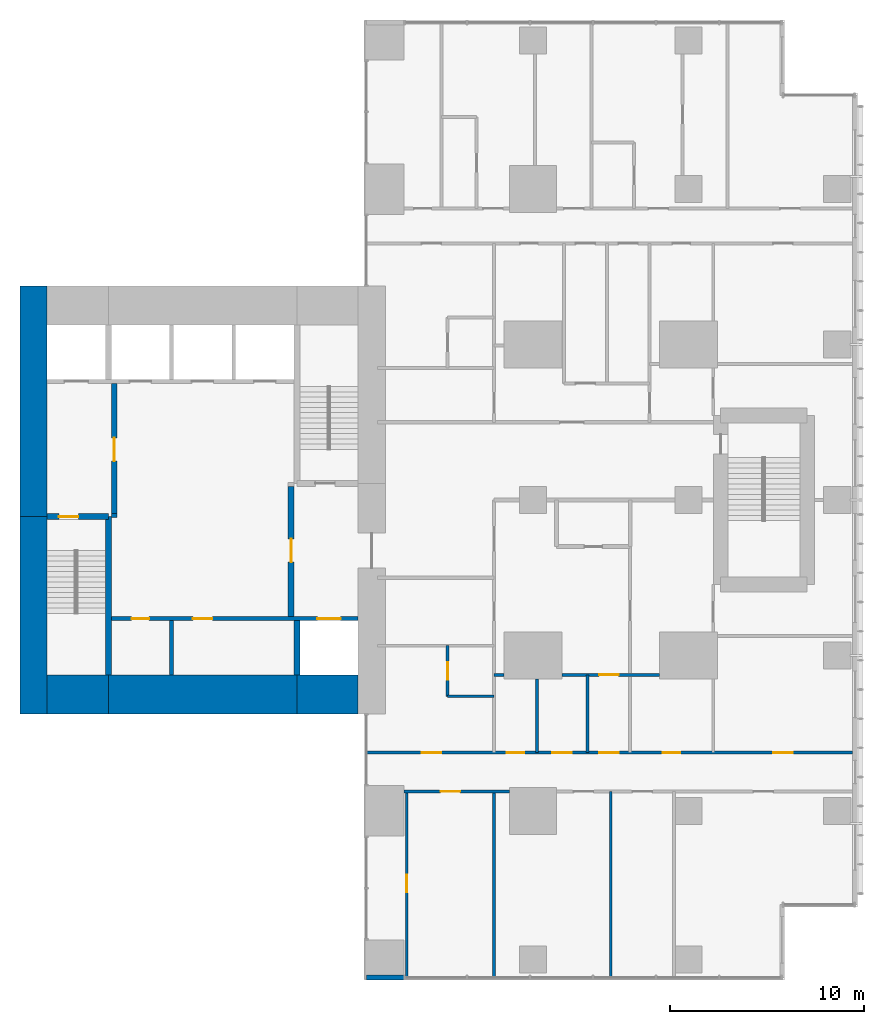
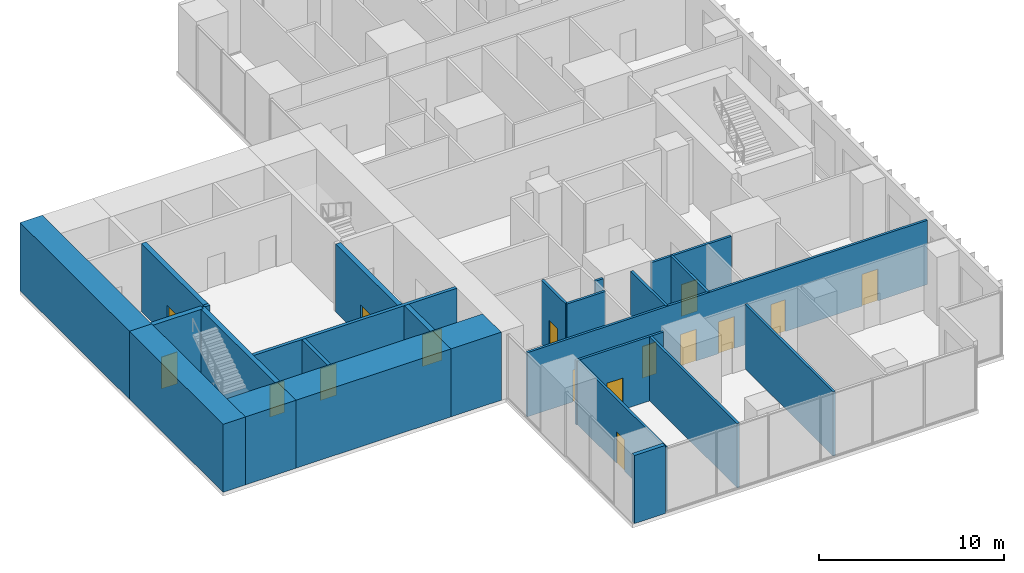
# One storey, part 7 of 12: 25 walls, 16 doors, 16 openings.
"""IFC4 building model written with IfcOpenShell, lengths in metres."""

from ifc_helpers import new_model, si_unit, direction, frame, frame_2d, origin, place, context, subcontext, project, spatial, rectangle, extrude, material, layer, layer_set, type_object, element, fill, save


model = new_model("IFC4")

# Units and contexts
model_context = context("Model", 3, precision=1e-05, world=origin(), true_north=direction((0.0, 1.0)))
body_context = subcontext(model_context, "Body", "Model", "MODEL_VIEW")
ifc_project = project(units=[si_unit("LENGTHUNIT", "METRE"), si_unit("AREAUNIT", "SQUARE_METRE"), si_unit("VOLUMEUNIT", "CUBIC_METRE"), si_unit("PLANEANGLEUNIT", "RADIAN"), si_unit("MASSUNIT", "GRAM", prefix="KILO")], contexts=[model_context])

# Site, building, storey
site_placement = place(None, origin())
site = spatial("IfcSite", under=ifc_project, at=site_placement, CompositionType="ELEMENT")
building_placement = place(site_placement, origin())
building = spatial("IfcBuilding", under=site, at=building_placement, Name="Cleftline Residences", CompositionType="ELEMENT")
storey_placement = place(building_placement, frame((0.0, 0.0, 282.60009765625)))
storey = spatial("IfcBuildingStorey", under=building, at=storey_placement, Name="L74", CompositionType="ELEMENT", Elevation=282.60009765625)

# Walls
ifc_material_1 = material(Name="Concrete B70", Category="concrete")
ifc_layer_1 = layer(ifc_material_1, 1.39990234375)
ifc_layer_set_1 = layer_set([ifc_layer_1], Name="CORE WALL 1400")
wall_type_1 = type_object("IfcWallType", Name="CORE WALL 1400", PredefinedType="SHEAR", material=ifc_layer_set_1)
wall_1_placement = place(storey_placement, frame((24.300048828125, 13.0, 0.0), z_axis=(0.0, 0.0, 1.0), x_axis=(0.0, 1.0, 0.0)))
element("IfcWall", 1, at=wall_1_placement, inside=storey, type_object=wall_type_1, Name="Core wall W0", PredefinedType="SHEAR", context=body_context, shape_type="SweptSolid", body=[
    extrude(rectangle(XDim=10.14990234375, YDim=1.39990234375, at=frame_2d((5.074951171875, 0.0))), origin(), (0.0, 0.0, 1.0), 4.5),
])
wall_2_placement = place(storey_placement, frame((24.300048828125, 23.14990234375, 0.0), z_axis=(0.0, 0.0, 1.0), x_axis=(0.0, 1.0, 0.0)))
element("IfcWall", 2, at=wall_2_placement, inside=storey, type_object=wall_type_1, Name="Core wall W", PredefinedType="SHEAR", context=body_context, shape_type="SweptSolid", body=[
    extrude(rectangle(XDim=11.85009765625, YDim=1.39990234375, at=frame_2d((5.925048828125, 0.0))), origin(), (0.0, 0.0, 1.0), 4.5),
])
ifc_material_2 = material(Name="Concrete B70", Category="concrete")
ifc_layer_2 = layer(ifc_material_2, 2.0)
ifc_layer_set_2 = layer_set([ifc_layer_2], Name="CORE WALL 2000")
wall_type_2 = type_object("IfcWallType", Name="CORE WALL 2000", PredefinedType="SHEAR", material=ifc_layer_set_2)
wall_3_placement = place(storey_placement, frame((25.0, 14.0, 0.0), z_axis=(0.0, 0.0, 1.0), x_axis=(1.0, 0.0, 0.0)))
element("IfcWall", 3, at=wall_3_placement, inside=storey, type_object=wall_type_2, Name="Core wall S1", PredefinedType="SHEAR", context=body_context, shape_type="SweptSolid", body=[
    extrude(rectangle(XDim=3.14990234375, YDim=2.0, at=frame_2d((1.574951171875, 0.0))), origin(), (0.0, 0.0, 1.0), 4.5),
])
wall_4_placement = place(storey_placement, frame((28.14990234375, 14.0, 0.0), z_axis=(0.0, 0.0, 1.0), x_axis=(1.0, 0.0, 0.0)))
element("IfcWall", 4, at=wall_4_placement, inside=storey, type_object=wall_type_2, Name="Core wall S2", PredefinedType="SHEAR", context=body_context, shape_type="SweptSolid", body=[
    extrude(rectangle(XDim=9.7001953125, YDim=2.0, at=frame_2d((4.85009765625, 0.0))), origin(), (0.0, 0.0, 1.0), 4.5),
])
wall_5_placement = place(storey_placement, frame((37.85009765625, 14.0, 0.0), z_axis=(0.0, 0.0, 1.0), x_axis=(1.0, 0.0, 0.0)))
element("IfcWall", 5, at=wall_5_placement, inside=storey, type_object=wall_type_2, Name="Core wall S3", PredefinedType="SHEAR", context=body_context, shape_type="SweptSolid", body=[
    extrude(rectangle(XDim=3.14990234375, YDim=2.0, at=frame_2d((1.574951171875, 0.0))), origin(), (0.0, 0.0, 1.0), 4.5),
])
ifc_material_3 = material(Name="Concrete B70", Category="concrete")
ifc_layer_3 = layer(ifc_material_3, 0.300048828125)
ifc_layer_set_3 = layer_set([ifc_layer_3], Name="CORE WALL 300")
wall_type_3 = type_object("IfcWallType", Name="CORE WALL 300", PredefinedType="SHEAR", material=ifc_layer_set_3)
wall_6_placement = place(storey_placement, frame((28.14990234375, 15.0, 0.0), z_axis=(0.0, 0.0, 1.0), x_axis=(0.0, 1.0, 0.0)))
element("IfcWall", 6, at=wall_6_placement, inside=storey, type_object=wall_type_3, Name="Core wall SA-E", PredefinedType="SHEAR", context=body_context, shape_type="SweptSolid", body=[
    extrude(rectangle(XDim=8.14990234375, YDim=0.300048828125, at=frame_2d((4.074951171875, 0.0))), origin(), (0.0, 0.0, 1.0), 4.5),
])

# Wall, opening, door
wall_7_placement = place(storey_placement, frame((25.0, 23.14990234375, 0.0), z_axis=(0.0, 0.0, 1.0), x_axis=(1.0, 0.0, 0.0)))
wall_7 = element("IfcWall", 7, at=wall_7_placement, inside=storey, type_object=wall_type_3, Name="Core wall SA-N", PredefinedType="SHEAR", context=body_context, shape_type="SweptSolid", body=[
    extrude(rectangle(XDim=3.14990234375, YDim=0.300048828125, at=frame_2d((1.574951171875, 0.0))), origin(), (0.0, 0.0, 1.0), 4.5),
])
opening_1_placement = place(wall_7_placement, frame((0.60009765625, 0.0, 0.0)))
opening_1 = element("IfcOpeningElement", 8, at=opening_1_placement, cuts=wall_7, Name="Opening D5", PredefinedType="OPENING", context=body_context, shape_type="SweptSolid", body=[
    extrude(rectangle(XDim=1.0, YDim=2.10009765625, at=frame_2d((0.5, 1.050048828125))), frame((0.0, 0.159912109375, 0.0), z_axis=(0.0, -1.0, 0.0), x_axis=(1.0, 0.0, 0.0)), (0.0, 0.0, 1.0), 0.320068359375),
])
ifc_material_4 = material(Name="Steel", Category="steel")
door_type_1 = type_object("IfcDoorType", Name="STAIR DOOR 1000X2100", OperationType="SINGLE_SWING_LEFT", PredefinedType="DOOR", material=ifc_material_4)
door_1_placement = place(opening_1_placement, origin())
door_1 = element("IfcDoor", 9, at=door_1_placement, inside=storey, type_object=door_type_1, Name="Stair A door", OperationType="SINGLE_SWING_RIGHT", OverallHeight=2.10009765625, OverallWidth=1.0, PredefinedType="DOOR", context=body_context, shape_type="SweptSolid", body=[
    extrude(rectangle(XDim=1.0, YDim=2.10009765625, at=frame_2d((0.5, 1.050048828125))), frame((0.0, 0.02490234375, 0.0), z_axis=(0.0, -1.0, 0.0), x_axis=(1.0, 0.0, 0.0)), (0.0, 0.0, 1.0), 0.050048828125),
])
fill(opening_1, door_1)

# Walls
wall_8_placement = place(storey_placement, frame((37.85009765625, 15.0, 0.0), z_axis=(0.0, 0.0, 1.0), x_axis=(0.0, 1.0, 0.0)))
element("IfcWall", 10, at=wall_8_placement, inside=storey, type_object=wall_type_3, Name="Lift shaft wall", PredefinedType="SHEAR", context=body_context, shape_type="SweptSolid", body=[
    extrude(rectangle(XDim=2.800048828125, YDim=0.300048828125, at=frame_2d((1.39990234375, 0.0))), origin(), (0.0, 0.0, 1.0), 4.5),
])
ifc_material_5 = material(Name="Rendered reinforced concrete blockwork", Category="masonry")
ifc_layer_4 = layer(ifc_material_5, 0.25)
ifc_layer_set_4 = layer_set([ifc_layer_4], Name="EXTERNAL WALL 250")
wall_type_4 = type_object("IfcWallType", Name="EXTERNAL WALL 250", PredefinedType="SOLIDWALL", material=ifc_layer_set_4)
wall_9_placement = place(storey_placement, frame((41.425048828125, -0.574951171875, 0.0), z_axis=(0.0, 0.0, 1.0), x_axis=(1.0, 0.0, 0.0)))
element("IfcWall", 11, at=wall_9_placement, inside=storey, type_object=wall_type_4, Name="External wall", PredefinedType="SOLIDWALL", context=body_context, shape_type="SweptSolid", body=[
    extrude(rectangle(XDim=1.925048828125, YDim=0.25, at=frame_2d((0.96240234375, 0.0))), origin(), (0.0, 0.0, 1.0), 4.5),
])
ifc_material_6 = material(Name="Concrete blockwork, fire rated", Category="masonry")
ifc_layer_5 = layer(ifc_material_6, 0.199951171875)
ifc_layer_set_5 = layer_set([ifc_layer_5], Name="FIRE WALL 200")
wall_type_5 = type_object("IfcWallType", Name="FIRE WALL 200", PredefinedType="PARTITIONING", material=ifc_layer_set_5)
wall_10_placement = place(storey_placement, frame((28.300048828125, 23.199951171875, 0.0), z_axis=(0.0, 0.0, 1.0), x_axis=(1.0, 0.0, 0.0)))
element("IfcWall", 12, at=wall_10_placement, inside=storey, type_object=wall_type_5, Name="Fire separating wall", PredefinedType="PARTITIONING", context=body_context, shape_type="SweptSolid", body=[
    extrude(rectangle(XDim=0.300048828125, YDim=0.199951171875, at=frame_2d((0.14990234375, 0.0))), origin(), (0.0, 0.0, 1.0), 4.5),
])

# Wall, opening, door
ifc_material_7 = material(Name="Gypsum board on steel studs", Category="steel")
ifc_layer_6 = layer(ifc_material_7, 0.14990234375)
ifc_layer_set_6 = layer_set([ifc_layer_6], Name="PARTITION 150")
wall_type_6 = type_object("IfcWallType", Name="PARTITION 150", PredefinedType="PARTITIONING", material=ifc_layer_set_6)
wall_11_placement = place(storey_placement, frame((43.35009765625, 9.0, 0.0), z_axis=(0.0, 0.0, 1.0), x_axis=(1.0, 0.0, 0.0)))
wall_11 = element("IfcWall", 13, at=wall_11_placement, inside=storey, type_object=wall_type_6, Name="Partition", PredefinedType="PARTITIONING", context=body_context, shape_type="SweptSolid", body=[
    extrude(rectangle(XDim=5.449951171875, YDim=0.14990234375, at=frame_2d((2.72509765625, 0.0))), origin(), (0.0, 0.0, 1.0), 4.25),
])
opening_2_placement = place(wall_11_placement, frame((1.89990234375, 0.0, 0.0)))
opening_2 = element("IfcOpeningElement", 14, at=opening_2_placement, cuts=wall_11, Name="Opening D2", PredefinedType="OPENING", context=body_context, shape_type="SweptSolid", body=[
    extrude(rectangle(XDim=1.0, YDim=2.10009765625, at=frame_2d((0.5, 1.050048828125))), frame((0.0, 0.0849609375, 0.0), z_axis=(0.0, -1.0, 0.0), x_axis=(1.0, 0.0, 0.0)), (0.0, 0.0, 1.0), 0.169921875),
])
ifc_material_8 = material(Name="Timber veneer on solid core", Category="wood")
door_type_2 = type_object("IfcDoorType", Name="DOOR 1000X2100", OperationType="SINGLE_SWING_LEFT", PredefinedType="DOOR", material=ifc_material_8)
door_2_placement = place(opening_2_placement, origin())
door_2 = element("IfcDoor", 15, at=door_2_placement, inside=storey, type_object=door_type_2, Name="Door to show kitchen", OperationType="SINGLE_SWING_RIGHT", OverallHeight=2.10009765625, OverallWidth=1.0, PredefinedType="DOOR", context=body_context, shape_type="SweptSolid", body=[
    extrude(rectangle(XDim=1.0, YDim=2.10009765625, at=frame_2d((0.5, 1.050048828125))), frame((0.0, 0.02490234375, 0.0), z_axis=(0.0, -1.0, 0.0), x_axis=(1.0, 0.0, 0.0)), (0.0, 0.0, 1.0), 0.050048828125),
])
fill(opening_2, door_2)

# Wall, openings, doors
wall_12_placement = place(storey_placement, frame((41.43896484375, 11.0, 0.0), z_axis=(0.0, 0.0, 1.0), x_axis=(1.0, 0.0, 0.0)))
wall_12 = element("IfcWall", 16, at=wall_12_placement, inside=storey, type_object=wall_type_6, Name="Partition", PredefinedType="PARTITIONING", context=body_context, shape_type="SweptSolid", body=[
    extrude(rectangle(XDim=25.010986328125, YDim=0.14990234375, at=frame_2d((12.50537109375, 0.0))), origin(), (0.0, 0.0, 1.0), 4.25),
])
opening_3_placement = place(wall_12_placement, frame((11.9609375, 0.0, 0.0)))
opening_3 = element("IfcOpeningElement", 17, at=opening_3_placement, cuts=wall_12, Name="Opening D2F30", PredefinedType="OPENING", context=body_context, shape_type="SweptSolid", body=[
    extrude(rectangle(XDim=1.0, YDim=2.10009765625, at=frame_2d((0.5, 1.050048828125))), frame((0.0, 0.0849609375, 0.0), z_axis=(0.0, -1.0, 0.0), x_axis=(1.0, 0.0, 0.0)), (0.0, 0.0, 1.0), 0.169921875),
])
opening_4_placement = place(wall_12_placement, frame((20.923583984375, 0.0, 0.0)))
opening_4 = element("IfcOpeningElement", 18, at=opening_4_placement, cuts=wall_12, Name="Opening D2F30", PredefinedType="OPENING", context=body_context, shape_type="SweptSolid", body=[
    extrude(rectangle(XDim=1.0, YDim=2.10009765625, at=frame_2d((0.5, 1.050048828125))), frame((0.0, 0.0849609375, 0.0), z_axis=(0.0, -1.0, 0.0), x_axis=(1.0, 0.0, 0.0)), (0.0, 0.0, 1.0), 0.169921875),
])
opening_5_placement = place(wall_12_placement, frame((15.24853515625, 0.0, 0.0)))
opening_5 = element("IfcOpeningElement", 19, at=opening_5_placement, cuts=wall_12, Name="Opening D1F30", PredefinedType="OPENING", context=body_context, shape_type="SweptSolid", body=[
    extrude(rectangle(XDim=0.89990234375, YDim=2.10009765625, at=frame_2d((0.449951171875, 1.050048828125))), frame((0.0, 0.0849609375, 0.0), z_axis=(0.0, -1.0, 0.0), x_axis=(1.0, 0.0, 0.0)), (0.0, 0.0, 1.0), 0.169921875),
])
opening_6_placement = place(wall_12_placement, frame((9.56103515625, 0.0, 0.0)))
opening_6 = element("IfcOpeningElement", 20, at=opening_6_placement, cuts=wall_12, Name="Opening D2F30", PredefinedType="OPENING", context=body_context, shape_type="SweptSolid", body=[
    extrude(rectangle(XDim=1.0, YDim=2.10009765625, at=frame_2d((0.5, 1.050048828125))), frame((0.0, 0.0849609375, 0.0), z_axis=(0.0, -1.0, 0.0), x_axis=(1.0, 0.0, 0.0)), (0.0, 0.0, 1.0), 0.169921875),
])
opening_7_placement = place(wall_12_placement, frame((7.2109375, 0.0, 0.0)))
opening_7 = element("IfcOpeningElement", 21, at=opening_7_placement, cuts=wall_12, Name="Opening D1F30", PredefinedType="OPENING", context=body_context, shape_type="SweptSolid", body=[
    extrude(rectangle(XDim=0.89990234375, YDim=2.10009765625, at=frame_2d((0.449951171875, 1.050048828125))), frame((0.0, 0.0849609375, 0.0), z_axis=(0.0, -1.0, 0.0), x_axis=(1.0, 0.0, 0.0)), (0.0, 0.0, 1.0), 0.169921875),
])
opening_8_placement = place(wall_12_placement, frame((2.8359375, 0.0, 0.0)))
opening_8 = element("IfcOpeningElement", 22, at=opening_8_placement, cuts=wall_12, Name="Opening D2F30", PredefinedType="OPENING", context=body_context, shape_type="SweptSolid", body=[
    extrude(rectangle(XDim=1.0, YDim=2.10009765625, at=frame_2d((0.5, 1.050048828125))), frame((0.0, 0.0849609375, 0.0), z_axis=(0.0, -1.0, 0.0), x_axis=(1.0, 0.0, 0.0)), (0.0, 0.0, 1.0), 0.169921875),
])
ifc_material_9 = material(Name="Timber veneer on solid core", Category="wood")
door_type_3 = type_object("IfcDoorType", Name="DOOR 1000X2100 EI 30", OperationType="SINGLE_SWING_LEFT", PredefinedType="DOOR", material=ifc_material_9)
door_3_placement = place(opening_3_placement, origin())
door_3 = element("IfcDoor", 23, at=door_3_placement, inside=storey, type_object=door_type_3, Name="Door to residence hall (gallery)", OperationType="SINGLE_SWING_RIGHT", OverallHeight=2.10009765625, OverallWidth=1.0, PredefinedType="DOOR", context=body_context, shape_type="SweptSolid", body=[
    extrude(rectangle(XDim=1.0, YDim=2.10009765625, at=frame_2d((0.5, 1.050048828125))), frame((0.0, 0.02490234375, 0.0), z_axis=(0.0, -1.0, 0.0), x_axis=(1.0, 0.0, 0.0)), (0.0, 0.0, 1.0), 0.050048828125),
])
fill(opening_3, door_3)
door_4_placement = place(opening_4_placement, origin())
door_4 = element("IfcDoor", 24, at=door_4_placement, inside=storey, type_object=door_type_3, Name="Door to sea-view great room", OperationType="SINGLE_SWING_LEFT", OverallHeight=2.10009765625, OverallWidth=1.0, PredefinedType="DOOR", context=body_context, shape_type="SweptSolid", body=[
    extrude(rectangle(XDim=1.0, YDim=2.10009765625, at=frame_2d((0.5, 1.050048828125))), frame((0.0, 0.02490234375, 0.0), z_axis=(0.0, -1.0, 0.0), x_axis=(1.0, 0.0, 0.0)), (0.0, 0.0, 1.0), 0.050048828125),
])
fill(opening_4, door_4)
door_5_placement = place(opening_6_placement, origin())
door_5 = element("IfcDoor", 25, at=door_5_placement, inside=storey, type_object=door_type_3, Name="Door to wet kitchen", OperationType="SINGLE_SWING_RIGHT", OverallHeight=2.10009765625, OverallWidth=1.0, PredefinedType="DOOR", context=body_context, shape_type="SweptSolid", body=[
    extrude(rectangle(XDim=1.0, YDim=2.10009765625, at=frame_2d((0.5, 1.050048828125))), frame((0.0, 0.02490234375, 0.0), z_axis=(0.0, -1.0, 0.0), x_axis=(1.0, 0.0, 0.0)), (0.0, 0.0, 1.0), 0.050048828125),
])
fill(opening_6, door_5)
door_6_placement = place(opening_8_placement, origin())
door_6 = element("IfcDoor", 26, at=door_6_placement, inside=storey, type_object=door_type_3, Name="Door to staff bedroom", OperationType="SINGLE_SWING_RIGHT", OverallHeight=2.10009765625, OverallWidth=1.0, PredefinedType="DOOR", context=body_context, shape_type="SweptSolid", body=[
    extrude(rectangle(XDim=1.0, YDim=2.10009765625, at=frame_2d((0.5, 1.050048828125))), frame((0.0, 0.02490234375, 0.0), z_axis=(0.0, -1.0, 0.0), x_axis=(1.0, 0.0, 0.0)), (0.0, 0.0, 1.0), 0.050048828125),
])
fill(opening_8, door_6)
ifc_material_10 = material(Name="Timber veneer on solid core", Category="wood")
door_type_4 = type_object("IfcDoorType", Name="DOOR 900X2100 EI 30", OperationType="SINGLE_SWING_LEFT", PredefinedType="DOOR", material=ifc_material_10)
door_7_placement = place(opening_5_placement, origin())
door_7 = element("IfcDoor", 27, at=door_7_placement, inside=storey, type_object=door_type_4, Name="Door to wine room", OperationType="SINGLE_SWING_LEFT", OverallHeight=2.10009765625, OverallWidth=0.89990234375, PredefinedType="DOOR", context=body_context, shape_type="SweptSolid", body=[
    extrude(rectangle(XDim=0.89990234375, YDim=2.10009765625, at=frame_2d((0.449951171875, 1.050048828125))), frame((0.0, 0.02490234375, 0.0), z_axis=(0.0, -1.0, 0.0), x_axis=(1.0, 0.0, 0.0)), (0.0, 0.0, 1.0), 0.050048828125),
])
fill(opening_5, door_7)
door_8_placement = place(opening_7_placement, origin())
door_8 = element("IfcDoor", 28, at=door_8_placement, inside=storey, type_object=door_type_4, Name="Door to pantry", OperationType="SINGLE_SWING_RIGHT", OverallHeight=2.10009765625, OverallWidth=0.89990234375, PredefinedType="DOOR", context=body_context, shape_type="SweptSolid", body=[
    extrude(rectangle(XDim=0.89990234375, YDim=2.10009765625, at=frame_2d((0.449951171875, 1.050048828125))), frame((0.0, 0.02490234375, 0.0), z_axis=(0.0, -1.0, 0.0), x_axis=(1.0, 0.0, 0.0)), (0.0, 0.0, 1.0), 0.050048828125),
])
fill(opening_7, door_8)

# Walls
wall_13_placement = place(storey_placement, frame((45.60009765625, 13.89990234375, 0.0), z_axis=(0.0, 0.0, 1.0), x_axis=(1.0, 0.0, 0.0)))
element("IfcWall", 29, at=wall_13_placement, inside=storey, type_object=wall_type_6, Name="Partition", PredefinedType="PARTITIONING", context=body_context, shape_type="SweptSolid", body=[
    extrude(rectangle(XDim=2.39990234375, YDim=0.14990234375, at=frame_2d((1.199951171875, 0.0))), origin(), (0.0, 0.0, 1.0), 4.25),
])
wall_14_placement = place(storey_placement, frame((48.0, 15.0, 0.0), z_axis=(0.0, 0.0, 1.0), x_axis=(1.0, 0.0, 0.0)))
element("IfcWall", 30, at=wall_14_placement, inside=storey, type_object=wall_type_6, Name="Partition", PredefinedType="PARTITIONING", context=body_context, shape_type="SweptSolid", body=[
    extrude(rectangle(XDim=0.5, YDim=0.14990234375, at=frame_2d((0.25, 0.0))), origin(), (0.0, 0.0, 1.0), 4.25),
])

# Wall, opening, door
wall_15_placement = place(storey_placement, frame((51.5, 15.0, 0.0), z_axis=(0.0, 0.0, 1.0), x_axis=(1.0, 0.0, 0.0)))
wall_15 = element("IfcWall", 31, at=wall_15_placement, inside=storey, type_object=wall_type_6, Name="Partition", PredefinedType="PARTITIONING", context=body_context, shape_type="SweptSolid", body=[
    extrude(rectangle(XDim=5.0, YDim=0.14990234375, at=frame_2d((2.5, 0.0))), origin(), (0.0, 0.0, 1.0), 4.25),
])
opening_9_placement = place(wall_15_placement, frame((1.89990234375, 0.0, 0.0)))
opening_9 = element("IfcOpeningElement", 32, at=opening_9_placement, cuts=wall_15, Name="Opening D2", PredefinedType="OPENING", context=body_context, shape_type="SweptSolid", body=[
    extrude(rectangle(XDim=1.0, YDim=2.10009765625, at=frame_2d((0.5, 1.050048828125))), frame((0.0, 0.0849609375, 0.0), z_axis=(0.0, -1.0, 0.0), x_axis=(1.0, 0.0, 0.0)), (0.0, 0.0, 1.0), 0.169921875),
])
door_9_placement = place(opening_9_placement, origin())
door_9 = element("IfcDoor", 33, at=door_9_placement, inside=storey, type_object=door_type_2, Name="Door to residence passage", OperationType="SINGLE_SWING_RIGHT", OverallHeight=2.10009765625, OverallWidth=1.0, PredefinedType="DOOR", context=body_context, shape_type="SweptSolid", body=[
    extrude(rectangle(XDim=1.0, YDim=2.10009765625, at=frame_2d((0.5, 1.050048828125))), frame((0.0, 0.02490234375, 0.0), z_axis=(0.0, -1.0, 0.0), x_axis=(1.0, 0.0, 0.0)), (0.0, 0.0, 1.0), 0.050048828125),
])
fill(opening_9, door_9)

wall_16_placement = place(storey_placement, frame((43.5, -0.56103515625, 0.0), z_axis=(0.0, 0.0, 1.0), x_axis=(0.0, 1.0, 0.0)))
wall_16 = element("IfcWall", 34, at=wall_16_placement, inside=storey, type_object=wall_type_6, Name="Partition", PredefinedType="PARTITIONING", context=body_context, shape_type="SweptSolid", body=[
    extrude(rectangle(XDim=9.56103515625, YDim=0.14990234375, at=frame_2d((4.780517578125, 0.0))), origin(), (0.0, 0.0, 1.0), 4.25),
])
opening_10_placement = place(wall_16_placement, frame((4.385986328125, 0.0, 0.0)))
opening_10 = element("IfcOpeningElement", 35, at=opening_10_placement, cuts=wall_16, Name="Opening D1", PredefinedType="OPENING", context=body_context, shape_type="SweptSolid", body=[
    extrude(rectangle(XDim=0.89990234375, YDim=2.10009765625, at=frame_2d((0.449951171875, 1.050048828125))), frame((0.0, 0.0849609375, 0.0), z_axis=(0.0, -1.0, 0.0), x_axis=(1.0, 0.0, 0.0)), (0.0, 0.0, 1.0), 0.169921875),
])
ifc_material_11 = material(Name="Timber veneer on solid core", Category="wood")
door_type_5 = type_object("IfcDoorType", Name="DOOR 900X2100", OperationType="SINGLE_SWING_LEFT", PredefinedType="DOOR", material=ifc_material_11)
door_10_placement = place(opening_10_placement, origin())
door_10 = element("IfcDoor", 36, at=door_10_placement, inside=storey, type_object=door_type_5, Name="Door to larder", OperationType="SINGLE_SWING_LEFT", OverallHeight=2.10009765625, OverallWidth=0.89990234375, PredefinedType="DOOR", context=body_context, shape_type="SweptSolid", body=[
    extrude(rectangle(XDim=0.89990234375, YDim=2.10009765625, at=frame_2d((0.449951171875, 1.050048828125))), frame((0.0, 0.02490234375, 0.0), z_axis=(0.0, -1.0, 0.0), x_axis=(1.0, 0.0, 0.0)), (0.0, 0.0, 1.0), 0.050048828125),
])
fill(opening_10, door_10)

wall_17_placement = place(storey_placement, frame((45.60009765625, 13.89990234375, 0.0), z_axis=(0.0, 0.0, 1.0), x_axis=(0.0, 1.0, 0.0)))
wall_17 = element("IfcWall", 37, at=wall_17_placement, inside=storey, type_object=wall_type_6, Name="Partition", PredefinedType="PARTITIONING", context=body_context, shape_type="SweptSolid", body=[
    extrude(rectangle(XDim=2.60009765625, YDim=0.14990234375, at=frame_2d((1.300048828125, 0.0))), origin(), (0.0, 0.0, 1.0), 4.25),
])
opening_11_placement = place(wall_17_placement, frame((0.85009765625, 0.0, 0.0)))
opening_11 = element("IfcOpeningElement", 38, at=opening_11_placement, cuts=wall_17, Name="Opening D1", PredefinedType="OPENING", context=body_context, shape_type="SweptSolid", body=[
    extrude(rectangle(XDim=0.89990234375, YDim=2.10009765625, at=frame_2d((0.449951171875, 1.050048828125))), frame((0.0, 0.0849609375, 0.0), z_axis=(0.0, -1.0, 0.0), x_axis=(1.0, 0.0, 0.0)), (0.0, 0.0, 1.0), 0.169921875),
])
door_11_placement = place(opening_11_placement, origin())
door_11 = element("IfcDoor", 39, at=door_11_placement, inside=storey, type_object=door_type_5, Name="Door to staff shower room", OperationType="SINGLE_SWING_LEFT", OverallHeight=2.10009765625, OverallWidth=0.89990234375, PredefinedType="DOOR", context=body_context, shape_type="SweptSolid", body=[
    extrude(rectangle(XDim=0.89990234375, YDim=2.10009765625, at=frame_2d((0.449951171875, 1.050048828125))), frame((0.0, 0.02490234375, 0.0), z_axis=(0.0, -1.0, 0.0), x_axis=(1.0, 0.0, 0.0)), (0.0, 0.0, 1.0), 0.050048828125),
])
fill(opening_11, door_11)

# Walls
wall_18_placement = place(storey_placement, frame((48.0, -0.56103515625, 0.0), z_axis=(0.0, 0.0, 1.0), x_axis=(0.0, 1.0, 0.0)))
element("IfcWall", 40, at=wall_18_placement, inside=storey, type_object=wall_type_6, Name="Partition", PredefinedType="PARTITIONING", context=body_context, shape_type="SweptSolid", body=[
    extrude(rectangle(XDim=9.56103515625, YDim=0.14990234375, at=frame_2d((4.780517578125, 0.0))), origin(), (0.0, 0.0, 1.0), 4.25),
])
wall_19_placement = place(storey_placement, frame((50.199951171875, 11.0, 0.0), z_axis=(0.0, 0.0, 1.0), x_axis=(0.0, 1.0, 0.0)))
element("IfcWall", 41, at=wall_19_placement, inside=storey, type_object=wall_type_6, Name="Partition", PredefinedType="PARTITIONING", context=body_context, shape_type="SweptSolid", body=[
    extrude(rectangle(XDim=3.800048828125, YDim=0.14990234375, at=frame_2d((1.89990234375, 0.0))), origin(), (0.0, 0.0, 1.0), 4.25),
])
wall_20_placement = place(storey_placement, frame((52.800048828125, 11.0, 0.0), z_axis=(0.0, 0.0, 1.0), x_axis=(0.0, 1.0, 0.0)))
element("IfcWall", 42, at=wall_20_placement, inside=storey, type_object=wall_type_6, Name="Partition", PredefinedType="PARTITIONING", context=body_context, shape_type="SweptSolid", body=[
    extrude(rectangle(XDim=4.0, YDim=0.14990234375, at=frame_2d((2.0, 0.0))), origin(), (0.0, 0.0, 1.0), 4.25),
])
wall_21_placement = place(storey_placement, frame((54.0, -0.56103515625, 0.0), z_axis=(0.0, 0.0, 1.0), x_axis=(0.0, 1.0, 0.0)))
element("IfcWall", 43, at=wall_21_placement, inside=storey, type_object=wall_type_6, Name="Partition", PredefinedType="PARTITIONING", context=body_context, shape_type="SweptSolid", body=[
    extrude(rectangle(XDim=9.56103515625, YDim=0.14990234375, at=frame_2d((4.780517578125, 0.0))), origin(), (0.0, 0.0, 1.0), 4.25),
])

# Wall, openings, doors
ifc_material_12 = material(Name="Concrete blockwork, fire rated", Category="masonry")
ifc_layer_7 = layer(ifc_material_12, 0.199951171875)
ifc_layer_set_7 = layer_set([ifc_layer_7], Name="SHAFT WALL 200")
wall_type_7 = type_object("IfcWallType", Name="SHAFT WALL 200", PredefinedType="PARTITIONING", material=ifc_layer_set_7)
wall_22_placement = place(storey_placement, frame((28.300048828125, 17.89990234375, 0.0), z_axis=(0.0, 0.0, 1.0), x_axis=(1.0, 0.0, 0.0)))
wall_22 = element("IfcWall", 44, at=wall_22_placement, inside=storey, type_object=wall_type_7, Name="Core room wall", PredefinedType="PARTITIONING", context=body_context, shape_type="SweptSolid", body=[
    extrude(rectangle(XDim=12.699951171875, YDim=0.199951171875, at=frame_2d((6.35009765625, 0.0))), origin(), (0.0, 0.0, 1.0), 4.5),
])
opening_12_placement = place(wall_22_placement, frame((1.050048828125, 0.0, 0.0)))
opening_12 = element("IfcOpeningElement", 45, at=opening_12_placement, cuts=wall_22, Name="Opening D1F30", PredefinedType="OPENING", context=body_context, shape_type="SweptSolid", body=[
    extrude(rectangle(XDim=0.89990234375, YDim=2.10009765625, at=frame_2d((0.449951171875, 1.050048828125))), frame((0.0, 0.10986328125, 0.0), z_axis=(0.0, -1.0, 0.0), x_axis=(1.0, 0.0, 0.0)), (0.0, 0.0, 1.0), 0.219970703125),
])
opening_13_placement = place(wall_22_placement, frame((4.199951171875, 0.0, 0.0)))
opening_13 = element("IfcOpeningElement", 46, at=opening_13_placement, cuts=wall_22, Name="Opening D2F60", PredefinedType="OPENING", context=body_context, shape_type="SweptSolid", body=[
    extrude(rectangle(XDim=1.0, YDim=2.10009765625, at=frame_2d((0.5, 1.050048828125))), frame((0.0, 0.10986328125, 0.0), z_axis=(0.0, -1.0, 0.0), x_axis=(1.0, 0.0, 0.0)), (0.0, 0.0, 1.0), 0.219970703125),
])
opening_14_placement = place(wall_22_placement, frame((10.60009765625, 0.0, 0.0)))
opening_14 = element("IfcOpeningElement", 47, at=opening_14_placement, cuts=wall_22, Name="Opening LD2", PredefinedType="OPENING", context=body_context, shape_type="SweptSolid", body=[
    extrude(rectangle(XDim=1.199951171875, YDim=2.10009765625, at=frame_2d((0.60009765625, 1.050048828125))), frame((0.0, 0.10986328125, 0.0), z_axis=(0.0, -1.0, 0.0), x_axis=(1.0, 0.0, 0.0)), (0.0, 0.0, 1.0), 0.219970703125),
])
ifc_material_13 = material(Name="Timber veneer on solid core", Category="wood")
door_type_6 = type_object("IfcDoorType", Name="DOOR 1000X2100 EI 60", OperationType="SINGLE_SWING_LEFT", PredefinedType="DOOR", material=ifc_material_13)
door_12_placement = place(opening_13_placement, origin())
door_12 = element("IfcDoor", 48, at=door_12_placement, inside=storey, type_object=door_type_6, Name="Door to communications room", OperationType="SINGLE_SWING_RIGHT", OverallHeight=2.10009765625, OverallWidth=1.0, PredefinedType="DOOR", context=body_context, shape_type="SweptSolid", body=[
    extrude(rectangle(XDim=1.0, YDim=2.10009765625, at=frame_2d((0.5, 1.050048828125))), frame((0.0, 0.02490234375, 0.0), z_axis=(0.0, -1.0, 0.0), x_axis=(1.0, 0.0, 0.0)), (0.0, 0.0, 1.0), 0.050048828125),
])
fill(opening_13, door_12)
door_13_placement = place(opening_12_placement, origin())
door_13 = element("IfcDoor", 49, at=door_13_placement, inside=storey, type_object=door_type_4, Name="Door to guest pantry", OperationType="SINGLE_SWING_RIGHT", OverallHeight=2.10009765625, OverallWidth=0.89990234375, PredefinedType="DOOR", context=body_context, shape_type="SweptSolid", body=[
    extrude(rectangle(XDim=0.89990234375, YDim=2.10009765625, at=frame_2d((0.449951171875, 1.050048828125))), frame((0.0, 0.02490234375, 0.0), z_axis=(0.0, -1.0, 0.0), x_axis=(1.0, 0.0, 0.0)), (0.0, 0.0, 1.0), 0.050048828125),
])
fill(opening_12, door_13)
ifc_material_14 = material(Name="Steel", Category="steel")
door_type_7 = type_object("IfcDoorType", Name="FIREFIGHTING LIFT LANDING DOOR 1200X2100", OperationType="SLIDING_TO_LEFT", PredefinedType="DOOR", material=ifc_material_14)
door_14_placement = place(opening_14_placement, origin())
door_14 = element("IfcDoor", 50, at=door_14_placement, inside=storey, type_object=door_type_7, Name="Lift FL2 landing door", OperationType="SLIDING_TO_LEFT", OverallHeight=2.10009765625, OverallWidth=1.199951171875, PredefinedType="DOOR", context=body_context, shape_type="SweptSolid", body=[
    extrude(rectangle(XDim=1.199951171875, YDim=2.10009765625, at=frame_2d((0.60009765625, 1.050048828125))), frame((0.0, 0.02490234375, 0.0), z_axis=(0.0, -1.0, 0.0), x_axis=(1.0, 0.0, 0.0)), (0.0, 0.0, 1.0), 0.050048828125),
])
fill(opening_14, door_14)

# Wall
wall_23_placement = place(storey_placement, frame((31.39990234375, 15.0, 0.0), z_axis=(0.0, 0.0, 1.0), x_axis=(0.0, 1.0, 0.0)))
element("IfcWall", 51, at=wall_23_placement, inside=storey, type_object=wall_type_7, Name="Core room wall", PredefinedType="PARTITIONING", context=body_context, shape_type="SweptSolid", body=[
    extrude(rectangle(XDim=2.800048828125, YDim=0.199951171875, at=frame_2d((1.39990234375, 0.0))), origin(), (0.0, 0.0, 1.0), 4.5),
])

# Wall, opening, door
ifc_material_15 = material(Name="Concrete blockwork, fire rated", Category="masonry")
ifc_layer_8 = layer(ifc_material_15, 0.300048828125)
ifc_layer_set_8 = layer_set([ifc_layer_8], Name="STAIR LOBBY WALL 300")
wall_type_8 = type_object("IfcWallType", Name="STAIR LOBBY WALL 300", PredefinedType="PARTITIONING", material=ifc_layer_set_8)
wall_24_placement = place(storey_placement, frame((28.449951171875, 23.300048828125, 0.0), z_axis=(0.0, 0.0, 1.0), x_axis=(0.0, 1.0, 0.0)))
wall_24 = element("IfcWall", 52, at=wall_24_placement, inside=storey, type_object=wall_type_8, Name="Stair and lobby wall FA-E", PredefinedType="PARTITIONING", context=body_context, shape_type="SweptSolid", body=[
    extrude(rectangle(XDim=6.699951171875, YDim=0.300048828125, at=frame_2d((3.35009765625, 0.0))), origin(), (0.0, 0.0, 1.0), 4.5),
])
opening_15_placement = place(wall_24_placement, frame((2.699951171875, 0.0, 0.0)))
opening_15 = element("IfcOpeningElement", 53, at=opening_15_placement, cuts=wall_24, Name="Opening D6", PredefinedType="OPENING", context=body_context, shape_type="SweptSolid", body=[
    extrude(rectangle(XDim=1.199951171875, YDim=2.10009765625, at=frame_2d((0.60009765625, 1.050048828125))), frame((0.0, 0.159912109375, 0.0), z_axis=(0.0, -1.0, 0.0), x_axis=(1.0, 0.0, 0.0)), (0.0, 0.0, 1.0), 0.320068359375),
])
ifc_material_16 = material(Name="Steel", Category="steel")
door_type_8 = type_object("IfcDoorType", Name="LOBBY DOOR 1200X2100", OperationType="SINGLE_SWING_RIGHT", PredefinedType="DOOR", material=ifc_material_16)
door_15_placement = place(opening_15_placement, origin())
door_15 = element("IfcDoor", 54, at=door_15_placement, inside=storey, type_object=door_type_8, Name="Firefighting lobby A door", OperationType="SINGLE_SWING_RIGHT", OverallHeight=2.10009765625, OverallWidth=1.199951171875, PredefinedType="DOOR", context=body_context, shape_type="SweptSolid", body=[
    extrude(rectangle(XDim=1.199951171875, YDim=2.10009765625, at=frame_2d((0.60009765625, 1.050048828125))), frame((0.0, 0.02490234375, 0.0), z_axis=(0.0, -1.0, 0.0), x_axis=(1.0, 0.0, 0.0)), (0.0, 0.0, 1.0), 0.050048828125),
])
fill(opening_15, door_15)

wall_25_placement = place(storey_placement, frame((37.550048828125, 18.0, 0.0), z_axis=(0.0, 0.0, 1.0), x_axis=(0.0, 1.0, 0.0)))
wall_25 = element("IfcWall", 55, at=wall_25_placement, inside=storey, type_object=wall_type_8, Name="Stair and lobby wall FB-W", PredefinedType="PARTITIONING", context=body_context, shape_type="SweptSolid", body=[
    extrude(rectangle(XDim=6.699951171875, YDim=0.300048828125, at=frame_2d((3.35009765625, 0.0))), origin(), (0.0, 0.0, 1.0), 4.5),
])
opening_16_placement = place(wall_25_placement, frame((2.800048828125, 0.0, 0.0)))
opening_16 = element("IfcOpeningElement", 56, at=opening_16_placement, cuts=wall_25, Name="Opening D6", PredefinedType="OPENING", context=body_context, shape_type="SweptSolid", body=[
    extrude(rectangle(XDim=1.199951171875, YDim=2.10009765625, at=frame_2d((0.60009765625, 1.050048828125))), frame((0.0, 0.159912109375, 0.0), z_axis=(0.0, -1.0, 0.0), x_axis=(1.0, 0.0, 0.0)), (0.0, 0.0, 1.0), 0.320068359375),
])
door_16_placement = place(opening_16_placement, origin())
door_16 = element("IfcDoor", 57, at=door_16_placement, inside=storey, type_object=door_type_8, Name="Firefighting lobby B door", OperationType="SINGLE_SWING_LEFT", OverallHeight=2.10009765625, OverallWidth=1.199951171875, PredefinedType="DOOR", context=body_context, shape_type="SweptSolid", body=[
    extrude(rectangle(XDim=1.199951171875, YDim=2.10009765625, at=frame_2d((0.60009765625, 1.050048828125))), frame((0.0, 0.02490234375, 0.0), z_axis=(0.0, -1.0, 0.0), x_axis=(1.0, 0.0, 0.0)), (0.0, 0.0, 1.0), 0.050048828125),
])
fill(opening_16, door_16)

save(model, "model.ifc")
